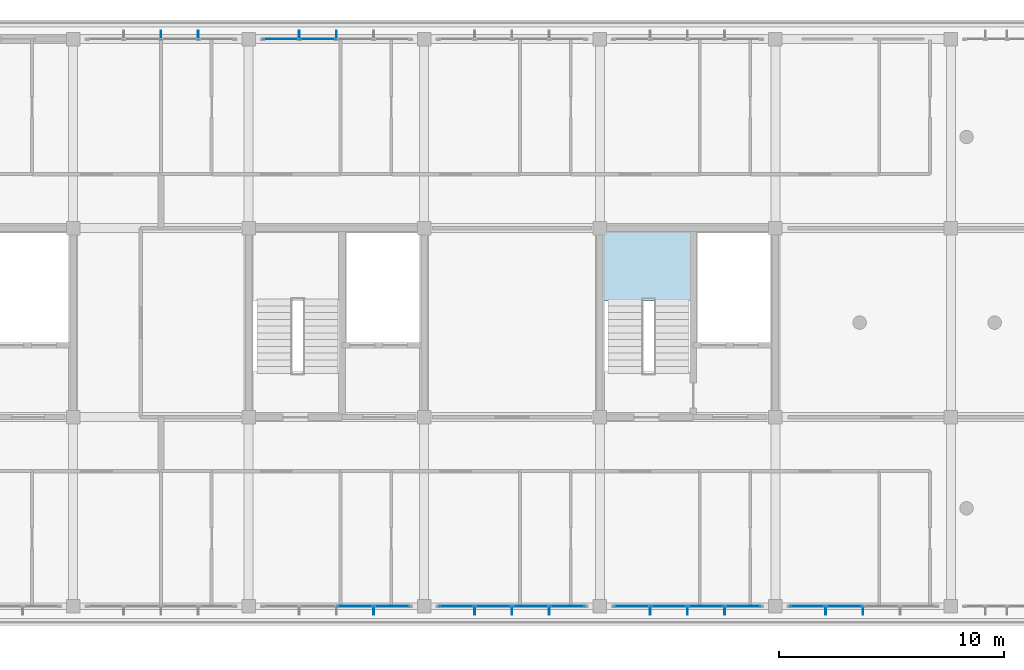
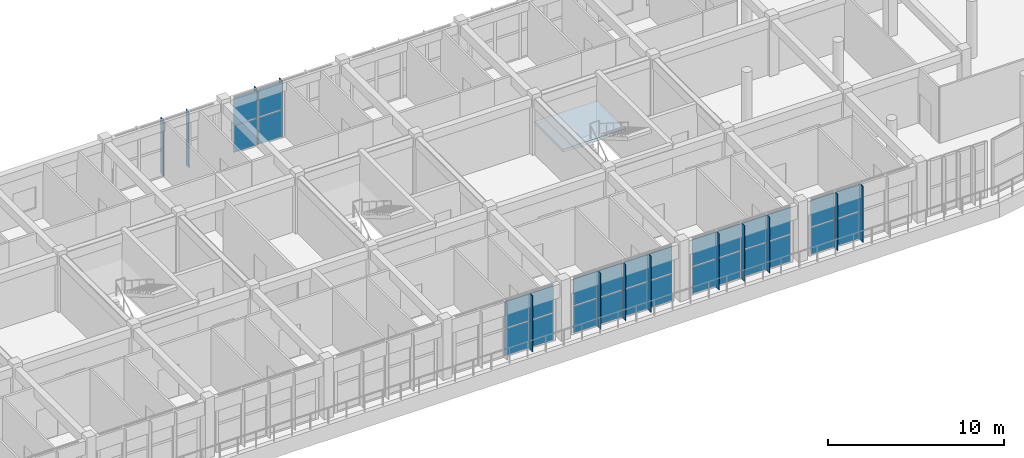
# One storey, part 44 of 56: 41 plates, 1 slab, 6 elements without a shape of their own.
"""IFC4 building model written with IfcOpenShell, lengths in metres."""

from ifc_helpers import new_model, si_unit, direction, frame, origin, origin_2d, place, context, subcontext, project, spatial, polyline, rectangle, outline, extrude, material, layer, layer_set, type_object, element, aggregate, save


model = new_model("IFC4")

# Units and contexts
model_context = context("Model", 3, precision=1e-05, world=origin(), true_north=direction((0.0, 1.0)))
body_context = subcontext(model_context, "Body", "Model", "MODEL_VIEW")
ifc_project = project(units=[si_unit("LENGTHUNIT", "METRE"), si_unit("AREAUNIT", "SQUARE_METRE"), si_unit("VOLUMEUNIT", "CUBIC_METRE"), si_unit("PLANEANGLEUNIT", "RADIAN"), si_unit("MASSUNIT", "GRAM", prefix="KILO")], contexts=[model_context])

# Site, building, storey
site_placement = place(None, origin())
site = spatial("IfcSite", under=ifc_project, at=site_placement, CompositionType="ELEMENT")
building_placement = place(site_placement, origin())
building = spatial("IfcBuilding", under=site, at=building_placement, Name="Zizhar Promenade General Hospital", CompositionType="ELEMENT")
storey_placement = place(building_placement, frame((0.0, 0.0, 26.39990234375)))
storey = spatial("IfcBuildingStorey", under=building, at=storey_placement, Name="L06", CompositionType="ELEMENT", Elevation=26.39990234375)

# Curtain wall, plates
ifc_material_1 = material(Name="Anodised aluminium 6063-T6 and low-E glass", Category="aluminium")
ifc_layer_1 = layer(ifc_material_1, 0.159912109375)
ifc_layer_set_1 = layer_set([ifc_layer_1], Name="Anodised aluminium 6063-T6 and low-E glass")
curtain_wall_type = type_object("IfcCurtainWallType", Name="CW-WARD-RIB", PredefinedType="NOTDEFINED", material=ifc_layer_set_1)
curtain_wall_1_placement = place(storey_placement, origin())
curtain_wall_1 = element("IfcCurtainWall", 1, at=curtain_wall_1_placement, inside=storey, type_object=curtain_wall_type, Name="Ward Ribbon Curtain Wall L06-8-6", PredefinedType="NOTDEFINED")
ifc_material_2 = material(Name="Low-E solar-control glass", Category="glass")
ifc_layer_2 = layer(ifc_material_2, 0.031982421875)
ifc_layer_set_2 = layer_set([ifc_layer_2], Name="Low-E solar-control glass")
plate_type_1 = type_object("IfcPlateType", Name="CWP-GLZ-32", PredefinedType="CURTAIN_PANEL", material=ifc_layer_set_2)
plate_1_placement = place(storey_placement, frame((79.429931640625, 25.199951171875, 0.06005859375), z_axis=(0.0, 0.0, 1.0), x_axis=(1.0, 0.0, 0.0)))
plate_1 = element("IfcPlate", 2, at=plate_1_placement, type_object=plate_type_1, Name="CW-13 panel 1.1", PredefinedType="CURTAIN_PANEL", context=body_context, shape_type="SweptSolid", body=[
    extrude(rectangle(XDim=1.5400390625, YDim=0.031982421875, at=origin_2d()), origin(), (0.0, 0.0, 1.0), 1.860107421875),
])
plate_2_placement = place(storey_placement, frame((79.429931640625, 25.199951171875, 1.97998046875), z_axis=(0.0, 0.0, 1.0), x_axis=(1.0, 0.0, 0.0)))
plate_2 = element("IfcPlate", 3, at=plate_2_placement, type_object=plate_type_1, Name="CW-13 panel 1.2", PredefinedType="CURTAIN_PANEL", context=body_context, shape_type="SweptSolid", body=[
    extrude(rectangle(XDim=1.5400390625, YDim=0.031982421875, at=origin_2d()), origin(), (0.0, 0.0, 1.0), 1.860107421875),
])
plate_3_placement = place(storey_placement, frame((81.070068359375, 25.199951171875, 0.06005859375), z_axis=(0.0, 0.0, 1.0), x_axis=(1.0, 0.0, 0.0)))
plate_3 = element("IfcPlate", 4, at=plate_3_placement, type_object=plate_type_1, Name="CW-13 panel 2.1", PredefinedType="CURTAIN_PANEL", context=body_context, shape_type="SweptSolid", body=[
    extrude(rectangle(XDim=1.580078125, YDim=0.031982421875, at=origin_2d()), origin(), (0.0, 0.0, 1.0), 1.860107421875),
])
plate_4_placement = place(storey_placement, frame((81.070068359375, 25.199951171875, 1.97998046875), z_axis=(0.0, 0.0, 1.0), x_axis=(1.0, 0.0, 0.0)))
plate_4 = element("IfcPlate", 5, at=plate_4_placement, type_object=plate_type_1, Name="CW-13 panel 2.2", PredefinedType="CURTAIN_PANEL", context=body_context, shape_type="SweptSolid", body=[
    extrude(rectangle(XDim=1.580078125, YDim=0.031982421875, at=origin_2d()), origin(), (0.0, 0.0, 1.0), 1.860107421875),
])
aggregate(curtain_wall_1, [plate_1, plate_2, plate_3, plate_4])

curtain_wall_2_placement = place(storey_placement, origin())
curtain_wall_2 = element("IfcCurtainWall", 6, at=curtain_wall_2_placement, inside=storey, type_object=curtain_wall_type, Name="Ward Ribbon Curtain Wall L06-17-1", PredefinedType="NOTDEFINED")
plate_5_placement = place(storey_placement, frame((104.469970703125, 0.0, 0.06005859375), z_axis=(0.0, 0.0, 1.0), x_axis=(-1.0, 0.0, 0.0)))
plate_5 = element("IfcPlate", 7, at=plate_5_placement, type_object=plate_type_1, Name="CW-13 panel 3.1", PredefinedType="CURTAIN_PANEL", context=body_context, shape_type="SweptSolid", body=[
    extrude(rectangle(XDim=1.580078125, YDim=0.031982421875, at=origin_2d()), origin(), (0.0, 0.0, 1.0), 1.860107421875),
])
plate_6_placement = place(storey_placement, frame((104.469970703125, 0.0, 1.97998046875), z_axis=(0.0, 0.0, 1.0), x_axis=(-1.0, 0.0, 0.0)))
plate_6 = element("IfcPlate", 8, at=plate_6_placement, type_object=plate_type_1, Name="CW-13 panel 3.2", PredefinedType="CURTAIN_PANEL", context=body_context, shape_type="SweptSolid", body=[
    extrude(rectangle(XDim=1.580078125, YDim=0.031982421875, at=origin_2d()), origin(), (0.0, 0.0, 1.0), 1.860107421875),
])
plate_7_placement = place(storey_placement, frame((102.830078125, 0.0, 0.06005859375), z_axis=(0.0, 0.0, 1.0), x_axis=(-1.0, 0.0, 0.0)))
plate_7 = element("IfcPlate", 9, at=plate_7_placement, type_object=plate_type_1, Name="CW-13 panel 4.1", PredefinedType="CURTAIN_PANEL", context=body_context, shape_type="SweptSolid", body=[
    extrude(rectangle(XDim=1.5400390625, YDim=0.031982421875, at=origin_2d()), origin(), (0.0, 0.0, 1.0), 1.860107421875),
])
plate_8_placement = place(storey_placement, frame((102.830078125, 0.0, 1.97998046875), z_axis=(0.0, 0.0, 1.0), x_axis=(-1.0, 0.0, 0.0)))
plate_8 = element("IfcPlate", 10, at=plate_8_placement, type_object=plate_type_1, Name="CW-13 panel 4.2", PredefinedType="CURTAIN_PANEL", context=body_context, shape_type="SweptSolid", body=[
    extrude(rectangle(XDim=1.5400390625, YDim=0.031982421875, at=origin_2d()), origin(), (0.0, 0.0, 1.0), 1.860107421875),
])
aggregate(curtain_wall_2, [plate_5, plate_6, plate_7, plate_8])

curtain_wall_3_placement = place(storey_placement, origin())
curtain_wall_3 = element("IfcCurtainWall", 11, at=curtain_wall_3_placement, inside=storey, type_object=curtain_wall_type, Name="Ward Ribbon Curtain Wall L06-17-2", PredefinedType="NOTDEFINED")
plate_9_placement = place(storey_placement, frame((99.969970703125, 0.0, 0.06005859375), z_axis=(0.0, 0.0, 1.0), x_axis=(-1.0, 0.0, 0.0)))
plate_9 = element("IfcPlate", 12, at=plate_9_placement, type_object=plate_type_1, Name="CW-13 panel 1.1", PredefinedType="CURTAIN_PANEL", context=body_context, shape_type="SweptSolid", body=[
    extrude(rectangle(XDim=1.5400390625, YDim=0.031982421875, at=origin_2d()), origin(), (0.0, 0.0, 1.0), 1.860107421875),
])
plate_10_placement = place(storey_placement, frame((99.969970703125, 0.0, 1.97998046875), z_axis=(0.0, 0.0, 1.0), x_axis=(-1.0, 0.0, 0.0)))
plate_10 = element("IfcPlate", 13, at=plate_10_placement, type_object=plate_type_1, Name="CW-13 panel 1.2", PredefinedType="CURTAIN_PANEL", context=body_context, shape_type="SweptSolid", body=[
    extrude(rectangle(XDim=1.5400390625, YDim=0.031982421875, at=origin_2d()), origin(), (0.0, 0.0, 1.0), 1.860107421875),
])
plate_11_placement = place(storey_placement, frame((98.330078125, 0.0, 0.06005859375), z_axis=(0.0, 0.0, 1.0), x_axis=(-1.0, 0.0, 0.0)))
plate_11 = element("IfcPlate", 14, at=plate_11_placement, type_object=plate_type_1, Name="CW-13 panel 2.1", PredefinedType="CURTAIN_PANEL", context=body_context, shape_type="SweptSolid", body=[
    extrude(rectangle(XDim=1.580078125, YDim=0.031982421875, at=origin_2d()), origin(), (0.0, 0.0, 1.0), 1.860107421875),
])
plate_12_placement = place(storey_placement, frame((98.330078125, 0.0, 1.97998046875), z_axis=(0.0, 0.0, 1.0), x_axis=(-1.0, 0.0, 0.0)))
plate_12 = element("IfcPlate", 15, at=plate_12_placement, type_object=plate_type_1, Name="CW-13 panel 2.2", PredefinedType="CURTAIN_PANEL", context=body_context, shape_type="SweptSolid", body=[
    extrude(rectangle(XDim=1.580078125, YDim=0.031982421875, at=origin_2d()), origin(), (0.0, 0.0, 1.0), 1.860107421875),
])
plate_13_placement = place(storey_placement, frame((96.669921875, 0.0, 0.06005859375), z_axis=(0.0, 0.0, 1.0), x_axis=(-1.0, 0.0, 0.0)))
plate_13 = element("IfcPlate", 16, at=plate_13_placement, type_object=plate_type_1, Name="CW-13 panel 3.1", PredefinedType="CURTAIN_PANEL", context=body_context, shape_type="SweptSolid", body=[
    extrude(rectangle(XDim=1.580078125, YDim=0.031982421875, at=origin_2d()), origin(), (0.0, 0.0, 1.0), 1.860107421875),
])
plate_14_placement = place(storey_placement, frame((96.669921875, 0.0, 1.97998046875), z_axis=(0.0, 0.0, 1.0), x_axis=(-1.0, 0.0, 0.0)))
plate_14 = element("IfcPlate", 17, at=plate_14_placement, type_object=plate_type_1, Name="CW-13 panel 3.2", PredefinedType="CURTAIN_PANEL", context=body_context, shape_type="SweptSolid", body=[
    extrude(rectangle(XDim=1.580078125, YDim=0.031982421875, at=origin_2d()), origin(), (0.0, 0.0, 1.0), 1.860107421875),
])
plate_15_placement = place(storey_placement, frame((95.030029296875, 0.0, 0.06005859375), z_axis=(0.0, 0.0, 1.0), x_axis=(-1.0, 0.0, 0.0)))
plate_15 = element("IfcPlate", 18, at=plate_15_placement, type_object=plate_type_1, Name="CW-13 panel 4.1", PredefinedType="CURTAIN_PANEL", context=body_context, shape_type="SweptSolid", body=[
    extrude(rectangle(XDim=1.5400390625, YDim=0.031982421875, at=origin_2d()), origin(), (0.0, 0.0, 1.0), 1.860107421875),
])
plate_16_placement = place(storey_placement, frame((95.030029296875, 0.0, 1.97998046875), z_axis=(0.0, 0.0, 1.0), x_axis=(-1.0, 0.0, 0.0)))
plate_16 = element("IfcPlate", 19, at=plate_16_placement, type_object=plate_type_1, Name="CW-13 panel 4.2", PredefinedType="CURTAIN_PANEL", context=body_context, shape_type="SweptSolid", body=[
    extrude(rectangle(XDim=1.5400390625, YDim=0.031982421875, at=origin_2d()), origin(), (0.0, 0.0, 1.0), 1.860107421875),
])
aggregate(curtain_wall_3, [plate_9, plate_10, plate_11, plate_12, plate_13, plate_14, plate_15, plate_16])

curtain_wall_4_placement = place(storey_placement, origin())
curtain_wall_4 = element("IfcCurtainWall", 20, at=curtain_wall_4_placement, inside=storey, type_object=curtain_wall_type, Name="Ward Ribbon Curtain Wall L06-17-3", PredefinedType="NOTDEFINED")
plate_17_placement = place(storey_placement, frame((92.169921875, 0.0, 0.06005859375), z_axis=(0.0, 0.0, 1.0), x_axis=(-1.0, 0.0, 0.0)))
plate_17 = element("IfcPlate", 21, at=plate_17_placement, type_object=plate_type_1, Name="CW-13 panel 1.1", PredefinedType="CURTAIN_PANEL", context=body_context, shape_type="SweptSolid", body=[
    extrude(rectangle(XDim=1.5400390625, YDim=0.031982421875, at=origin_2d()), origin(), (0.0, 0.0, 1.0), 1.860107421875),
])
plate_18_placement = place(storey_placement, frame((92.169921875, 0.0, 1.97998046875), z_axis=(0.0, 0.0, 1.0), x_axis=(-1.0, 0.0, 0.0)))
plate_18 = element("IfcPlate", 22, at=plate_18_placement, type_object=plate_type_1, Name="CW-13 panel 1.2", PredefinedType="CURTAIN_PANEL", context=body_context, shape_type="SweptSolid", body=[
    extrude(rectangle(XDim=1.5400390625, YDim=0.031982421875, at=origin_2d()), origin(), (0.0, 0.0, 1.0), 1.860107421875),
])
plate_19_placement = place(storey_placement, frame((90.530029296875, 0.0, 0.06005859375), z_axis=(0.0, 0.0, 1.0), x_axis=(-1.0, 0.0, 0.0)))
plate_19 = element("IfcPlate", 23, at=plate_19_placement, type_object=plate_type_1, Name="CW-13 panel 2.1", PredefinedType="CURTAIN_PANEL", context=body_context, shape_type="SweptSolid", body=[
    extrude(rectangle(XDim=1.580078125, YDim=0.031982421875, at=origin_2d()), origin(), (0.0, 0.0, 1.0), 1.860107421875),
])
plate_20_placement = place(storey_placement, frame((90.530029296875, 0.0, 1.97998046875), z_axis=(0.0, 0.0, 1.0), x_axis=(-1.0, 0.0, 0.0)))
plate_20 = element("IfcPlate", 24, at=plate_20_placement, type_object=plate_type_1, Name="CW-13 panel 2.2", PredefinedType="CURTAIN_PANEL", context=body_context, shape_type="SweptSolid", body=[
    extrude(rectangle(XDim=1.580078125, YDim=0.031982421875, at=origin_2d()), origin(), (0.0, 0.0, 1.0), 1.860107421875),
])
plate_21_placement = place(storey_placement, frame((88.8701171875, 0.0, 0.06005859375), z_axis=(0.0, 0.0, 1.0), x_axis=(-1.0, 0.0, 0.0)))
plate_21 = element("IfcPlate", 25, at=plate_21_placement, type_object=plate_type_1, Name="CW-13 panel 3.1", PredefinedType="CURTAIN_PANEL", context=body_context, shape_type="SweptSolid", body=[
    extrude(rectangle(XDim=1.580078125, YDim=0.031982421875, at=origin_2d()), origin(), (0.0, 0.0, 1.0), 1.860107421875),
])
plate_22_placement = place(storey_placement, frame((88.8701171875, 0.0, 1.97998046875), z_axis=(0.0, 0.0, 1.0), x_axis=(-1.0, 0.0, 0.0)))
plate_22 = element("IfcPlate", 26, at=plate_22_placement, type_object=plate_type_1, Name="CW-13 panel 3.2", PredefinedType="CURTAIN_PANEL", context=body_context, shape_type="SweptSolid", body=[
    extrude(rectangle(XDim=1.580078125, YDim=0.031982421875, at=origin_2d()), origin(), (0.0, 0.0, 1.0), 1.860107421875),
])
plate_23_placement = place(storey_placement, frame((87.22998046875, 0.0, 0.06005859375), z_axis=(0.0, 0.0, 1.0), x_axis=(-1.0, 0.0, 0.0)))
plate_23 = element("IfcPlate", 27, at=plate_23_placement, type_object=plate_type_1, Name="CW-13 panel 4.1", PredefinedType="CURTAIN_PANEL", context=body_context, shape_type="SweptSolid", body=[
    extrude(rectangle(XDim=1.5400390625, YDim=0.031982421875, at=origin_2d()), origin(), (0.0, 0.0, 1.0), 1.860107421875),
])
plate_24_placement = place(storey_placement, frame((87.22998046875, 0.0, 1.97998046875), z_axis=(0.0, 0.0, 1.0), x_axis=(-1.0, 0.0, 0.0)))
plate_24 = element("IfcPlate", 28, at=plate_24_placement, type_object=plate_type_1, Name="CW-13 panel 4.2", PredefinedType="CURTAIN_PANEL", context=body_context, shape_type="SweptSolid", body=[
    extrude(rectangle(XDim=1.5400390625, YDim=0.031982421875, at=origin_2d()), origin(), (0.0, 0.0, 1.0), 1.860107421875),
])
aggregate(curtain_wall_4, [plate_17, plate_18, plate_19, plate_20, plate_21, plate_22, plate_23, plate_24])

curtain_wall_5_placement = place(storey_placement, origin())
curtain_wall_5 = element("IfcCurtainWall", 29, at=curtain_wall_5_placement, inside=storey, type_object=curtain_wall_type, Name="Ward Ribbon Curtain Wall L06-17-4", PredefinedType="NOTDEFINED")
plate_25_placement = place(storey_placement, frame((84.3701171875, 0.0, 0.06005859375), z_axis=(0.0, 0.0, 1.0), x_axis=(-1.0, 0.0, 0.0)))
plate_25 = element("IfcPlate", 30, at=plate_25_placement, type_object=plate_type_1, Name="CW-13 panel 1.1", PredefinedType="CURTAIN_PANEL", context=body_context, shape_type="SweptSolid", body=[
    extrude(rectangle(XDim=1.5400390625, YDim=0.031982421875, at=origin_2d()), origin(), (0.0, 0.0, 1.0), 1.860107421875),
])
plate_26_placement = place(storey_placement, frame((84.3701171875, 0.0, 1.97998046875), z_axis=(0.0, 0.0, 1.0), x_axis=(-1.0, 0.0, 0.0)))
plate_26 = element("IfcPlate", 31, at=plate_26_placement, type_object=plate_type_1, Name="CW-13 panel 1.2", PredefinedType="CURTAIN_PANEL", context=body_context, shape_type="SweptSolid", body=[
    extrude(rectangle(XDim=1.5400390625, YDim=0.031982421875, at=origin_2d()), origin(), (0.0, 0.0, 1.0), 1.860107421875),
])
plate_27_placement = place(storey_placement, frame((82.72998046875, 0.0, 0.06005859375), z_axis=(0.0, 0.0, 1.0), x_axis=(-1.0, 0.0, 0.0)))
plate_27 = element("IfcPlate", 32, at=plate_27_placement, type_object=plate_type_1, Name="CW-13 panel 2.1", PredefinedType="CURTAIN_PANEL", context=body_context, shape_type="SweptSolid", body=[
    extrude(rectangle(XDim=1.580078125, YDim=0.031982421875, at=origin_2d()), origin(), (0.0, 0.0, 1.0), 1.860107421875),
])
plate_28_placement = place(storey_placement, frame((82.72998046875, 0.0, 1.97998046875), z_axis=(0.0, 0.0, 1.0), x_axis=(-1.0, 0.0, 0.0)))
plate_28 = element("IfcPlate", 33, at=plate_28_placement, type_object=plate_type_1, Name="CW-13 panel 2.2", PredefinedType="CURTAIN_PANEL", context=body_context, shape_type="SweptSolid", body=[
    extrude(rectangle(XDim=1.580078125, YDim=0.031982421875, at=origin_2d()), origin(), (0.0, 0.0, 1.0), 1.860107421875),
])
aggregate(curtain_wall_5, [plate_25, plate_26, plate_27, plate_28])

# Plates
ifc_material_3 = material(Name="Anodised aluminium 6063-T6", Category="aluminium")
ifc_layer_3 = layer(ifc_material_3, 0.035888671875)
ifc_layer_set_3 = layer_set([ifc_layer_3], Name="Anodised aluminium 6063-T6")
plate_type_2 = type_object("IfcPlateType", Name="FIN-ALU-380", PredefinedType="USERDEFINED", material=ifc_layer_set_3)
plate_29_placement = place(storey_placement, origin())
element("IfcPlate", 34, at=plate_29_placement, inside=storey, type_object=plate_type_2, Name="Ward Ribbon Curtain Wall L06-8-5 Solar Fin 2", ObjectType="SOLAR_SHADE", PredefinedType="USERDEFINED", context=body_context, shape_type="SweptSolid", body=[
    extrude(outline(polyline([(74.08203125, 25.199951171875), (74.117919921875, 25.199951171875), (74.117919921875, 25.580078125), (74.08203125, 25.580078125), (74.08203125, 25.199951171875)])), origin(), (0.0, 0.0, 1.0), 3.900146484375),
])
plate_30_placement = place(storey_placement, origin())
element("IfcPlate", 35, at=plate_30_placement, inside=storey, type_object=plate_type_2, Name="Ward Ribbon Curtain Wall L06-8-5 Solar Fin 3", ObjectType="SOLAR_SHADE", PredefinedType="USERDEFINED", context=body_context, shape_type="SweptSolid", body=[
    extrude(outline(polyline([(75.741943359375, 25.199951171875), (75.778076171875, 25.199951171875), (75.778076171875, 25.580078125), (75.741943359375, 25.580078125), (75.741943359375, 25.199951171875)])), origin(), (0.0, 0.0, 1.0), 3.900146484375),
])
plate_31_placement = place(storey_placement, origin())
element("IfcPlate", 36, at=plate_31_placement, inside=storey, type_object=plate_type_2, Name="Ward Ribbon Curtain Wall L06-8-6 Solar Fin 1", ObjectType="SOLAR_SHADE", PredefinedType="USERDEFINED", context=body_context, shape_type="SweptSolid", body=[
    extrude(outline(polyline([(80.221923828125, 25.199951171875), (80.258056640625, 25.199951171875), (80.258056640625, 25.580078125), (80.221923828125, 25.580078125), (80.221923828125, 25.199951171875)])), origin(), (0.0, 0.0, 1.0), 3.900146484375),
])
plate_32_placement = place(storey_placement, origin())
element("IfcPlate", 37, at=plate_32_placement, inside=storey, type_object=plate_type_2, Name="Ward Ribbon Curtain Wall L06-8-6 Solar Fin 2", ObjectType="SOLAR_SHADE", PredefinedType="USERDEFINED", context=body_context, shape_type="SweptSolid", body=[
    extrude(outline(polyline([(81.882080078125, 25.199951171875), (81.91796875, 25.199951171875), (81.91796875, 25.580078125), (81.882080078125, 25.580078125), (81.882080078125, 25.199951171875)])), origin(), (0.0, 0.0, 1.0), 3.900146484375),
])
plate_33_placement = place(storey_placement, origin())
element("IfcPlate", 38, at=plate_33_placement, inside=storey, type_object=plate_type_2, Name="Ward Ribbon Curtain Wall L06-17-1 Solar Fin 2", ObjectType="SOLAR_SHADE", PredefinedType="USERDEFINED", context=body_context, shape_type="SweptSolid", body=[
    extrude(outline(polyline([(105.318115234375, 0.0), (105.281982421875, 0.0), (105.281982421875, -0.3798828125), (105.318115234375, -0.3798828125), (105.318115234375, 0.0)])), origin(), (0.0, 0.0, 1.0), 3.900146484375),
])
plate_34_placement = place(storey_placement, origin())
element("IfcPlate", 39, at=plate_34_placement, inside=storey, type_object=plate_type_2, Name="Ward Ribbon Curtain Wall L06-17-1 Solar Fin 3", ObjectType="SOLAR_SHADE", PredefinedType="USERDEFINED", context=body_context, shape_type="SweptSolid", body=[
    extrude(outline(polyline([(103.657958984375, 0.0), (103.6220703125, 0.0), (103.6220703125, -0.3798828125), (103.657958984375, -0.3798828125), (103.657958984375, 0.0)])), origin(), (0.0, 0.0, 1.0), 3.900146484375),
])
plate_35_placement = place(storey_placement, origin())
element("IfcPlate", 40, at=plate_35_placement, inside=storey, type_object=plate_type_2, Name="Ward Ribbon Curtain Wall L06-17-2 Solar Fin 1", ObjectType="SOLAR_SHADE", PredefinedType="USERDEFINED", context=body_context, shape_type="SweptSolid", body=[
    extrude(outline(polyline([(99.177978515625, 0.0), (99.14208984375, 0.0), (99.14208984375, -0.3798828125), (99.177978515625, -0.3798828125), (99.177978515625, 0.0)])), origin(), (0.0, 0.0, 1.0), 3.900146484375),
])
plate_36_placement = place(storey_placement, origin())
element("IfcPlate", 41, at=plate_36_placement, inside=storey, type_object=plate_type_2, Name="Ward Ribbon Curtain Wall L06-17-2 Solar Fin 2", ObjectType="SOLAR_SHADE", PredefinedType="USERDEFINED", context=body_context, shape_type="SweptSolid", body=[
    extrude(outline(polyline([(97.51806640625, 0.0), (97.48193359375, 0.0), (97.48193359375, -0.3798828125), (97.51806640625, -0.3798828125), (97.51806640625, 0.0)])), origin(), (0.0, 0.0, 1.0), 3.900146484375),
])
plate_37_placement = place(storey_placement, origin())
element("IfcPlate", 42, at=plate_37_placement, inside=storey, type_object=plate_type_2, Name="Ward Ribbon Curtain Wall L06-17-2 Solar Fin 3", ObjectType="SOLAR_SHADE", PredefinedType="USERDEFINED", context=body_context, shape_type="SweptSolid", body=[
    extrude(outline(polyline([(95.85791015625, 0.0), (95.822021484375, 0.0), (95.822021484375, -0.3798828125), (95.85791015625, -0.3798828125), (95.85791015625, 0.0)])), origin(), (0.0, 0.0, 1.0), 3.900146484375),
])
plate_38_placement = place(storey_placement, origin())
element("IfcPlate", 43, at=plate_38_placement, inside=storey, type_object=plate_type_2, Name="Ward Ribbon Curtain Wall L06-17-3 Solar Fin 1", ObjectType="SOLAR_SHADE", PredefinedType="USERDEFINED", context=body_context, shape_type="SweptSolid", body=[
    extrude(outline(polyline([(91.3779296875, 0.0), (91.342041015625, 0.0), (91.342041015625, -0.3798828125), (91.3779296875, -0.3798828125), (91.3779296875, 0.0)])), origin(), (0.0, 0.0, 1.0), 3.900146484375),
])
plate_39_placement = place(storey_placement, origin())
element("IfcPlate", 44, at=plate_39_placement, inside=storey, type_object=plate_type_2, Name="Ward Ribbon Curtain Wall L06-17-3 Solar Fin 2", ObjectType="SOLAR_SHADE", PredefinedType="USERDEFINED", context=body_context, shape_type="SweptSolid", body=[
    extrude(outline(polyline([(89.718017578125, 0.0), (89.681884765625, 0.0), (89.681884765625, -0.3798828125), (89.718017578125, -0.3798828125), (89.718017578125, 0.0)])), origin(), (0.0, 0.0, 1.0), 3.900146484375),
])
plate_40_placement = place(storey_placement, origin())
element("IfcPlate", 45, at=plate_40_placement, inside=storey, type_object=plate_type_2, Name="Ward Ribbon Curtain Wall L06-17-3 Solar Fin 3", ObjectType="SOLAR_SHADE", PredefinedType="USERDEFINED", context=body_context, shape_type="SweptSolid", body=[
    extrude(outline(polyline([(88.05810546875, 0.0), (88.02197265625, 0.0), (88.02197265625, -0.3798828125), (88.05810546875, -0.3798828125), (88.05810546875, 0.0)])), origin(), (0.0, 0.0, 1.0), 3.900146484375),
])
plate_41_placement = place(storey_placement, origin())
element("IfcPlate", 46, at=plate_41_placement, inside=storey, type_object=plate_type_2, Name="Ward Ribbon Curtain Wall L06-17-4 Solar Fin 1", ObjectType="SOLAR_SHADE", PredefinedType="USERDEFINED", context=body_context, shape_type="SweptSolid", body=[
    extrude(outline(polyline([(83.577880859375, 0.0), (83.5419921875, 0.0), (83.5419921875, -0.3798828125), (83.577880859375, -0.3798828125), (83.577880859375, 0.0)])), origin(), (0.0, 0.0, 1.0), 3.900146484375),
])

# Stair, slab
ifc_material_4 = material(Name="Concrete C35/45", Category="concrete")
stair_type = type_object("IfcStairType", Name="STR-DOG-420", PredefinedType="HALF_TURN_STAIR", material=ifc_material_4)
stair_placement = place(storey_placement, origin())
stair = element("IfcStair", 47, at=stair_placement, inside=storey, type_object=stair_type, Name="Exit Stair ST-05 (L06 to L07)", PredefinedType="HALF_TURN_STAIR")
ifc_material_5 = material(Name="Concrete C35/45", Category="concrete")
ifc_layer_4 = layer(ifc_material_5, 0.2099609375)
ifc_layer_set_4 = layer_set([ifc_layer_4], Name="Concrete C35/45")
slab_type = type_object("IfcSlabType", Name="SLB-LAND-420", PredefinedType="LANDING", material=ifc_layer_set_4)
slab_placement = place(storey_placement, frame((0.0, 0.0, 1.89013671875)))
slab = element("IfcSlab", 48, at=slab_placement, type_object=slab_type, Name="ST-05C landing 1", PredefinedType="LANDING", context=body_context, shape_type="SweptSolid", body=[
    extrude(outline(polyline([(93.60009765625, 13.570068359375), (97.75, 13.570068359375), (97.75, 16.800048828125), (93.60009765625, 16.800048828125), (93.60009765625, 13.570068359375)])), origin(), (0.0, 0.0, 1.0), 0.2099609375),
])
aggregate(stair, [slab])

save(model, "model.ifc")
